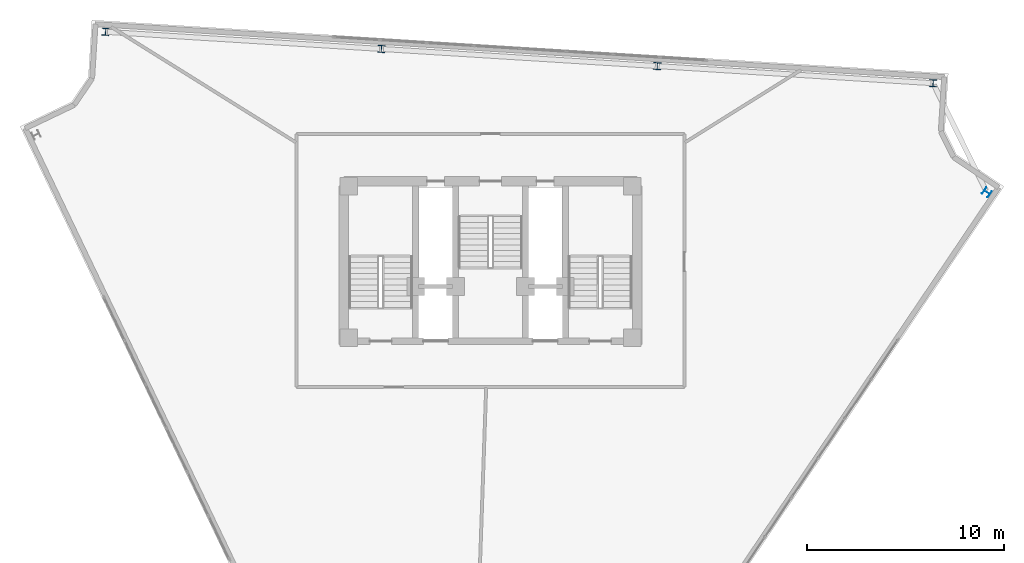
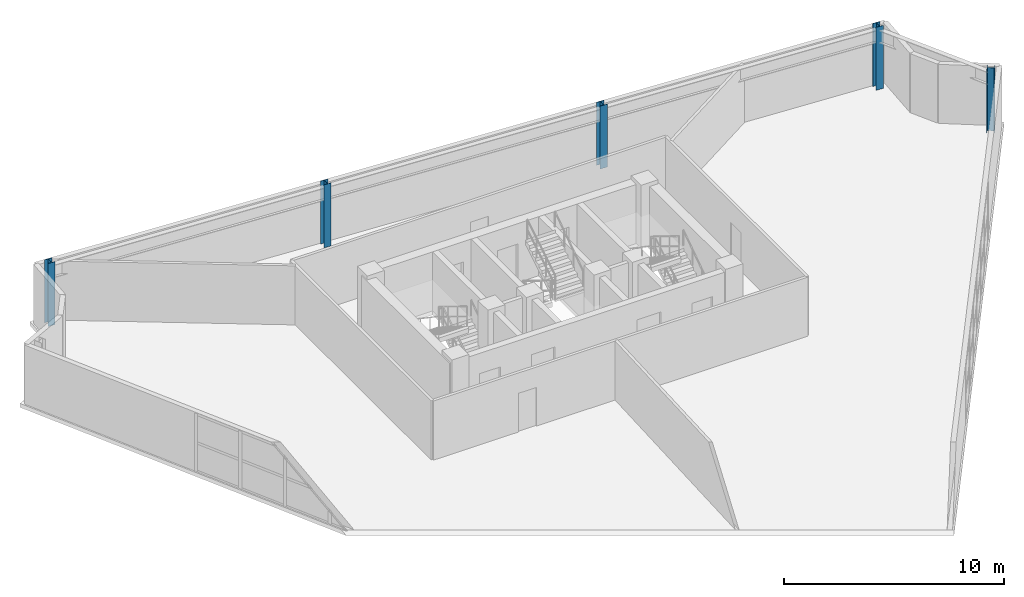
# One storey, part 2 of 8: 5 columns.
"""IFC4 building model written with IfcOpenShell, lengths in metres."""

from ifc_helpers import new_model, si_unit, direction, frame, origin, origin_2d, place, context, subcontext, project, spatial, i_section, extrude, material, material_profile, profile_set, type_object, element, save


model = new_model("IFC4")

# Units and contexts
model_context = context("Model", 3, precision=1e-05, world=origin(), true_north=direction((0.0, 1.0)))
body_context = subcontext(model_context, "Body", "Model", "MODEL_VIEW")
ifc_project = project(units=[si_unit("LENGTHUNIT", "METRE"), si_unit("AREAUNIT", "SQUARE_METRE"), si_unit("VOLUMEUNIT", "CUBIC_METRE"), si_unit("PLANEANGLEUNIT", "RADIAN"), si_unit("MASSUNIT", "GRAM", prefix="KILO")], contexts=[model_context])

# Site, building, storey
site_placement = place(None, origin())
site = spatial("IfcSite", under=ifc_project, at=site_placement, CompositionType="ELEMENT")
building_placement = place(site_placement, origin())
building = spatial("IfcBuilding", under=site, at=building_placement, Name="Apsidion Concourse Tower", CompositionType="ELEMENT")
storey_placement = place(building_placement, frame((0.0, 0.0, 332.5)))
storey = spatial("IfcBuildingStorey", under=building, at=storey_placement, Name="L78", CompositionType="ELEMENT", Elevation=332.5)

# Columns
ifc_material = material(Name="Structural steel ASTM A992 Grade 50", Category="steel")
ifc_material_profile = material_profile(ifc_material, i_section(OverallWidth=0.367919921875, OverallDepth=0.35595703125, WebThickness=0.01123046875, FlangeThickness=0.01806640625, at=origin_2d()), Name="W14X90")
ifc_profile_set = profile_set([ifc_material_profile], Name="Structural steel ASTM A992 Grade 50")
column_type = type_object("IfcColumnType", Name="COL-W14-90", PredefinedType="COLUMN", material=ifc_profile_set)
for number, where, z_axis, x_axis, name in (
    (1, (25.208984375, 8.83251953125, 0.0), (0.0, 0.0, 1.0), (0.559192903471, 0.829037572555, 0.0), "L78 Rotated Perimeter Column PC08"),
    (2, (22.47705078125, 14.378662109375, 0.0), (0.0, 0.0, 1.0), (-0.998081143466, 0.061919553109, 0.0), "L78 Rotated Perimeter Column PC09"),
    (3, (8.469482421875, 15.24853515625, 0.0), (0.0, 0.0, 1.0), (-0.998081143466, 0.061919553109, 0.0), "L78 Rotated Perimeter Column PC10"),
    (4, (-5.5380859375, 16.118408203125, 0.0), (0.0, 0.0, 1.0), (-0.998081143466, 0.061919553109, 0.0), "L78 Rotated Perimeter Column PC11"),
    (5, (-19.5458984375, 16.98828125, 0.0), (0.0, 0.0, 1.0), (-0.998081143466, 0.061919553109, 0.0), "L78 Rotated Perimeter Column PC12"),
):
    element("IfcColumn", number, at=place(storey_placement, frame(where, z_axis=z_axis, x_axis=x_axis)), inside=storey, type_object=column_type, Name=name, PredefinedType="COLUMN", context=body_context, shape_type="SweptSolid", body=[
        extrude(i_section(OverallWidth=0.367919921875, OverallDepth=0.35595703125, WebThickness=0.01123046875, FlangeThickness=0.01806640625, at=origin_2d()), origin(), (0.0, 0.0, 1.0), 3.5),
    ])

save(model, "model.ifc")
